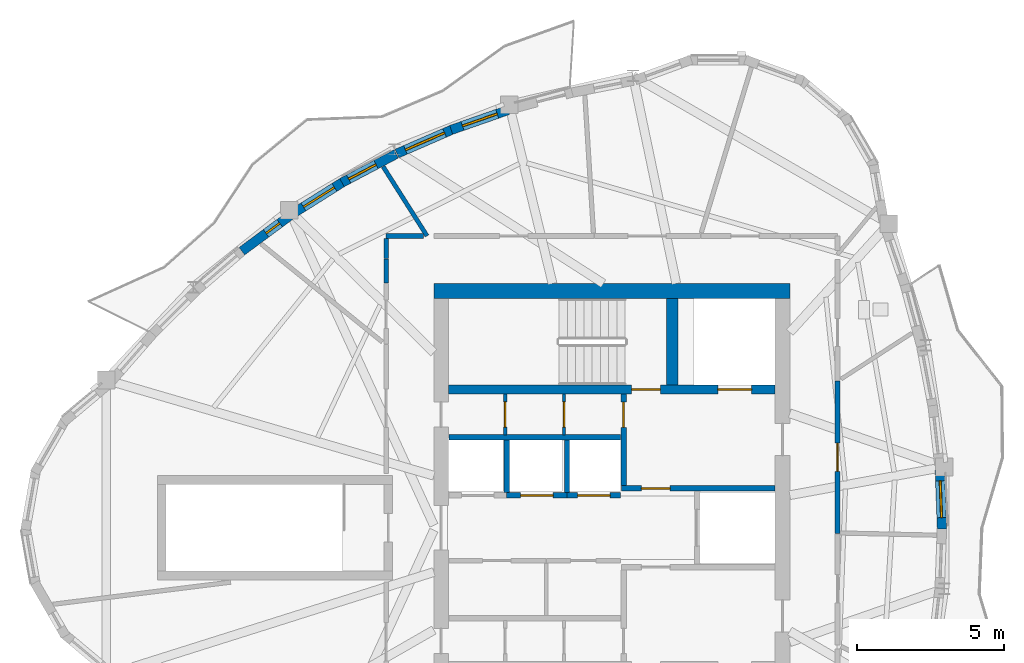
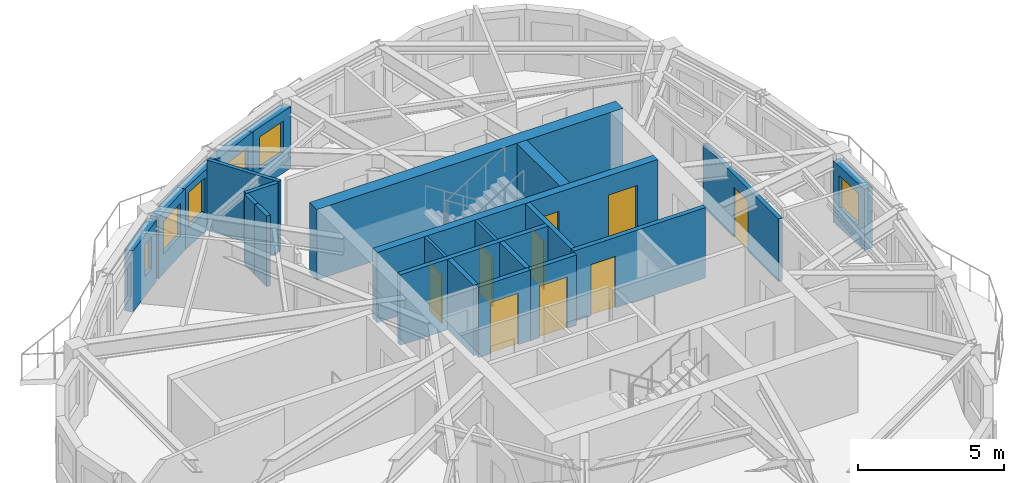
# One storey, part 6 of 12: 23 walls, 9 doors, 6 windows, 15 openings.
"""IFC4 building model written with IfcOpenShell, lengths in metres."""

from ifc_helpers import new_model, si_unit, direction, frame, frame_2d, origin, place, context, subcontext, project, spatial, rectangle, extrude, source, transform, mapped, material, layer, layer_set, type_object, element, fill, save


model = new_model("IFC4")

# Units and contexts
model_context = context("Model", 3, precision=1e-05, world=origin(), true_north=direction((0.0, 1.0)))
body_context = subcontext(model_context, "Body", "Model", "MODEL_VIEW")
ifc_project = project(units=[si_unit("LENGTHUNIT", "METRE"), si_unit("AREAUNIT", "SQUARE_METRE"), si_unit("VOLUMEUNIT", "CUBIC_METRE"), si_unit("PLANEANGLEUNIT", "RADIAN"), si_unit("MASSUNIT", "GRAM", prefix="KILO")], contexts=[model_context])

# Site, building, storey
site_placement = place(None, origin())
site = spatial("IfcSite", under=ifc_project, at=site_placement, CompositionType="ELEMENT")
building_placement = place(site_placement, origin())
building = spatial("IfcBuilding", under=site, at=building_placement, Name="Qafzar Sky-Pleat Residences", CompositionType="ELEMENT")
storey_placement = place(building_placement, frame((0.0, 0.0, 250.0)))
storey = spatial("IfcBuildingStorey", under=building, at=storey_placement, Name="L75", CompositionType="ELEMENT", Elevation=250.0)

# Wall, opening, door
ifc_material_1 = material(Name="Acoustic gypsum plasterboard partition", Category="gypsum")
ifc_layer_1 = layer(ifc_material_1, 0.159912109375)
ifc_layer_set_1 = layer_set([ifc_layer_1], Name="Acoustic gypsum plasterboard partition")
wall_type_1 = type_object("IfcWallType", Name="PART-COR-160", PredefinedType="PARTITIONING", material=ifc_layer_set_1)
wall_1_placement = place(storey_placement, frame((38.02001953125, 30.991943359375, 0.0), z_axis=(0.0, 0.0, 1.0), x_axis=(0.0, -1.0, 0.0)))
wall_1 = element("IfcWall", 1, at=wall_1_placement, inside=storey, type_object=wall_type_1, Name="L75 Partition Wall PART-L75-PW-002", PredefinedType="PARTITIONING", context=body_context, shape_type="SweptSolid", body=[
    extrude(rectangle(XDim=5.182861328125, YDim=0.159912109375, at=frame_2d((2.59130859375, 0.0))), origin(), (0.0, 0.0, 1.0), 2.617919921875),
])
opening_1_placement = place(wall_1_placement, frame((2.113037109375, 0.0, 0.0)))
opening_1 = element("IfcOpeningElement", 2, at=opening_1_placement, cuts=wall_1, Name="Opening ID-06", PredefinedType="OPENING", context=body_context, shape_type="SweptSolid", body=[
    extrude(rectangle(XDim=0.9599609375, YDim=2.10009765625, at=frame_2d((0.47998046875, 1.050048828125))), frame((0.0, 0.08984375, 0.0), z_axis=(0.0, -1.0, 0.0), x_axis=(1.0, 0.0, 0.0)), (0.0, 0.0, 1.0), 0.179931640625),
])
ifc_material_2 = material(Name="Timber-faced fire door", Category="wood")
door_type_1 = type_object("IfcDoorType", Name="DR-STD-960", OperationType="NOTDEFINED", PredefinedType="DOOR", material=ifc_material_2)
shared_shape_1 = source(origin(), body_context, "Body", "SweptSolid", [
    extrude(rectangle(XDim=0.9599609375, YDim=2.10009765625, at=frame_2d((0.47998046875, 1.050048828125))), frame((0.0, 0.02490234375, 0.0), z_axis=(0.0, -1.0, 0.0), x_axis=(1.0, 0.0, 0.0)), (0.0, 0.0, 1.0), 0.050048828125),
])
door_1_placement = place(opening_1_placement, origin())
door_1 = element("IfcDoor", 3, at=door_1_placement, inside=storey, type_object=door_type_1, Name="L75 Reading Library Door", OperationType="SINGLE_SWING_LEFT", OverallHeight=2.10009765625, OverallWidth=0.9599609375, PredefinedType="DOOR", context=body_context, shape_type="MappedRepresentation", body=[
    mapped(shared_shape_1, transform((0.0, 0.0, 0.0), x_axis=(1.0, 0.0, 0.0), y_axis=(0.0, 1.0, 0.0), z_axis=(0.0, 0.0, 1.0), scale=1.0)),
])
fill(opening_1, door_1)

# Walls
wall_2_placement = place(storey_placement, frame((22.679931640625, 35.919921875, 0.0), z_axis=(0.0, 0.0, 1.0), x_axis=(1.0, 0.0, 0.0)))
element("IfcWall", 4, at=wall_2_placement, inside=storey, type_object=wall_type_1, Name="L75 Partition Wall PART-L75-PW-024", PredefinedType="PARTITIONING", context=body_context, shape_type="SweptSolid", body=[
    extrude(rectangle(XDim=1.261474609375, YDim=0.159912109375, at=frame_2d((0.630859375, 0.0))), origin(), (0.0, 0.0, 1.0), 2.949951171875),
])
wall_3_placement = place(storey_placement, frame((22.679931640625, 34.31494140625, 0.0), z_axis=(0.0, 0.0, 1.0), x_axis=(0.0, 1.0, 0.0)))
element("IfcWall", 5, at=wall_3_placement, inside=storey, type_object=wall_type_1, Name="L75 Partition Wall PART-L75-PW-028", PredefinedType="PARTITIONING", context=body_context, shape_type="SweptSolid", body=[
    extrude(rectangle(XDim=0.816162109375, YDim=0.159912109375, at=frame_2d((0.408203125, 0.0))), origin(), (0.0, 0.0, 1.0), 2.949951171875),
])
wall_4_placement = place(storey_placement, frame((22.679931640625, 35.14599609375, 0.0), z_axis=(0.0, 0.0, 1.0), x_axis=(0.0, 1.0, 0.0)))
element("IfcWall", 6, at=wall_4_placement, inside=storey, type_object=wall_type_1, Name="L75 Partition Wall PART-L75-PW-030", PredefinedType="PARTITIONING", context=body_context, shape_type="SweptSolid", body=[
    extrude(rectangle(XDim=0.68603515625, YDim=0.159912109375, at=frame_2d((0.343017578125, 0.0))), origin(), (0.0, 0.0, 1.0), 2.949951171875),
])

# Wall, opening, door
ifc_material_3 = material(Name="Concrete blockwork partition", Category="masonry")
ifc_layer_2 = layer(ifc_material_3, 0.179931640625)
ifc_layer_set_2 = layer_set([ifc_layer_2], Name="Concrete blockwork partition")
wall_type_2 = type_object("IfcWallType", Name="PART-SHAFT-180", PredefinedType="PARTITIONING", material=ifc_layer_set_2)
wall_5_placement = place(storey_placement, frame((30.75, 27.429931640625, 0.0), z_axis=(0.0, 0.0, 1.0), x_axis=(0.0, 1.0, 0.0)))
wall_5 = element("IfcWall", 7, at=wall_5_placement, inside=storey, type_object=wall_type_2, Name="L75 Partition Wall PART-L75-FFL2-W", PredefinedType="PARTITIONING", context=body_context, shape_type="SweptSolid", body=[
    extrude(rectangle(XDim=3.110107421875, YDim=0.179931640625, at=frame_2d((1.55517578125, 0.0))), origin(), (0.0, 0.0, 1.0), 2.949951171875),
])
opening_2_placement = place(wall_5_placement, frame((1.97998046875, 0.0, 0.0)))
opening_2 = element("IfcOpeningElement", 8, at=opening_2_placement, cuts=wall_5, Name="Opening ID-09", PredefinedType="OPENING", context=body_context, shape_type="SweptSolid", body=[
    extrude(rectangle(XDim=0.860107421875, YDim=2.050048828125, at=frame_2d((0.43017578125, 1.02490234375))), frame((0.0, 0.10009765625, 0.0), z_axis=(0.0, -1.0, 0.0), x_axis=(1.0, 0.0, 0.0)), (0.0, 0.0, 1.0), 0.199951171875),
])
door_type_2 = type_object("IfcDoorType", Name="DR-SVC-860", OperationType="NOTDEFINED", PredefinedType="DOOR", material=ifc_material_2)
shared_shape_2 = source(origin(), body_context, "Body", "SweptSolid", [
    extrude(rectangle(XDim=0.860107421875, YDim=2.050048828125, at=frame_2d((0.43017578125, 1.02490234375))), frame((0.0, 0.02490234375, 0.0), z_axis=(0.0, -1.0, 0.0), x_axis=(1.0, 0.0, 0.0)), (0.0, 0.0, 1.0), 0.050048828125),
])
door_2_placement = place(opening_2_placement, origin())
door_2 = element("IfcDoor", 9, at=door_2_placement, inside=storey, type_object=door_type_2, Name="L75 North Core Cupboard Door", OperationType="SINGLE_SWING_RIGHT", OverallHeight=2.050048828125, OverallWidth=0.860107421875, PredefinedType="DOOR", context=body_context, shape_type="MappedRepresentation", body=[
    mapped(shared_shape_2, transform((0.0, 0.0, 0.0), x_axis=(1.0, 0.0, 0.0), y_axis=(0.0, 1.0, 0.0), z_axis=(0.0, 0.0, 1.0), scale=1.0)),
])
fill(opening_2, door_2)

wall_6_placement = place(storey_placement, frame((30.669921875, 27.340087890625, 0.0), z_axis=(0.0, 0.0, 1.0), x_axis=(1.0, 0.0, 0.0)))
wall_6 = element("IfcWall", 10, at=wall_6_placement, inside=storey, type_object=wall_type_2, Name="L75 Partition Wall PART-L75-FFL2-S", PredefinedType="PARTITIONING", context=body_context, shape_type="SweptSolid", body=[
    extrude(rectangle(XDim=5.219970703125, YDim=0.179931640625, at=frame_2d((2.60986328125, 0.0))), origin(), (0.0, 0.0, 1.0), 2.949951171875),
])
opening_3_placement = place(wall_6_placement, frame((0.679931640625, 0.0, 0.0)))
opening_3 = element("IfcOpeningElement", 11, at=opening_3_placement, cuts=wall_6, Name="Opening ID-01", PredefinedType="OPENING", context=body_context, shape_type="SweptSolid", body=[
    extrude(rectangle(XDim=0.97998046875, YDim=2.14990234375, at=frame_2d((0.489990234375, 1.074951171875))), frame((0.0, 0.10009765625, 0.0), z_axis=(0.0, -1.0, 0.0), x_axis=(1.0, 0.0, 0.0)), (0.0, 0.0, 1.0), 0.199951171875),
])
door_type_3 = type_object("IfcDoorType", Name="DR-STAIR-980", OperationType="NOTDEFINED", PredefinedType="DOOR", material=ifc_material_2)
shared_shape_3 = source(origin(), body_context, "Body", "SweptSolid", [
    extrude(rectangle(XDim=0.97998046875, YDim=2.14990234375, at=frame_2d((0.489990234375, 1.074951171875))), frame((0.0, 0.02490234375, 0.0), z_axis=(0.0, -1.0, 0.0), x_axis=(1.0, 0.0, 0.0)), (0.0, 0.0, 1.0), 0.050048828125),
])
door_3_placement = place(opening_3_placement, origin())
door_3 = element("IfcDoor", 12, at=door_3_placement, inside=storey, type_object=door_type_3, Name="L75 Lift Lobby to North Firefighting Lobby Door", OperationType="SINGLE_SWING_LEFT", OverallHeight=2.14990234375, OverallWidth=0.97998046875, PredefinedType="DOOR", context=body_context, shape_type="MappedRepresentation", body=[
    mapped(shared_shape_3, transform((0.0, 0.0, 0.0), x_axis=(1.0, 0.0, 0.0), y_axis=(0.0, 1.0, 0.0), z_axis=(0.0, 0.0, 1.0), scale=1.0)),
])
fill(opening_3, door_3)

# Wall
wall_7_placement = place(storey_placement, frame((24.81005859375, 29.080078125, 0.0), z_axis=(0.0, 0.0, 1.0), x_axis=(1.0, 0.0, 0.0)))
element("IfcWall", 13, at=wall_7_placement, inside=storey, type_object=wall_type_2, Name="L75 Partition Wall PART-L75-P46-N", PredefinedType="PARTITIONING", context=body_context, shape_type="SweptSolid", body=[
    extrude(rectangle(XDim=5.83984375, YDim=0.179931640625, at=frame_2d((2.919921875, 0.0))), origin(), (0.0, 0.0, 1.0), 2.949951171875),
])

# Wall, opening, door
wall_8_placement = place(storey_placement, frame((26.77490234375, 27.10009765625, 0.0), z_axis=(0.0, 0.0, 1.0), x_axis=(1.0, 0.0, 0.0)))
wall_8 = element("IfcWall", 14, at=wall_8_placement, inside=storey, type_object=wall_type_2, Name="L75 Partition Wall PART-L75-P5-S", PredefinedType="PARTITIONING", context=body_context, shape_type="SweptSolid", body=[
    extrude(rectangle(XDim=2.050048828125, YDim=0.179931640625, at=frame_2d((1.02490234375, 0.0))), origin(), (0.0, 0.0, 1.0), 2.949951171875),
])
opening_4_placement = place(wall_8_placement, frame((0.47509765625, 0.0, 0.0)))
opening_4 = element("IfcOpeningElement", 15, at=opening_4_placement, cuts=wall_8, Name="Opening LD-01", PredefinedType="OPENING", context=body_context, shape_type="SweptSolid", body=[
    extrude(rectangle(XDim=1.10009765625, YDim=2.14990234375, at=frame_2d((0.550048828125, 1.074951171875))), frame((0.0, 0.10009765625, 0.0), z_axis=(0.0, -1.0, 0.0), x_axis=(1.0, 0.0, 0.0)), (0.0, 0.0, 1.0), 0.199951171875),
])
ifc_material_4 = material(Name="Stainless steel sliding landing door", Category="steel")
door_type_4 = type_object("IfcDoorType", Name="DR-LIFT-P", OperationType="DOUBLE_DOOR_SLIDING", PredefinedType="DOOR", material=ifc_material_4)
shared_shape_4 = source(origin(), body_context, "Body", "SweptSolid", [
    extrude(rectangle(XDim=1.10009765625, YDim=2.14990234375, at=frame_2d((0.550048828125, 1.074951171875))), frame((0.0, 0.02490234375, 0.0), z_axis=(0.0, -1.0, 0.0), x_axis=(1.0, 0.0, 0.0)), (0.0, 0.0, 1.0), 0.050048828125),
])
door_4_placement = place(opening_4_placement, origin())
door_4 = element("IfcDoor", 16, at=door_4_placement, inside=storey, type_object=door_type_4, Name="L75 Passenger Lift P5 Landing Door", OperationType="DOUBLE_DOOR_SLIDING", OverallHeight=2.14990234375, OverallWidth=1.10009765625, PredefinedType="DOOR", context=body_context, shape_type="MappedRepresentation", body=[
    mapped(shared_shape_4, transform((0.0, 0.0, 0.0), x_axis=(1.0, 0.0, 0.0), y_axis=(0.0, 1.0, 0.0), z_axis=(0.0, 0.0, 1.0), scale=1.0)),
])
fill(opening_4, door_4)

# Wall
wall_9_placement = place(storey_placement, frame((26.77490234375, 27.199951171875, 0.0), z_axis=(0.0, 0.0, 1.0), x_axis=(0.0, 1.0, 0.0)))
element("IfcWall", 17, at=wall_9_placement, inside=storey, type_object=wall_type_2, Name="L75 Partition Wall PART-L75-P46-DIV-1", PredefinedType="PARTITIONING", context=body_context, shape_type="SweptSolid", body=[
    extrude(rectangle(XDim=1.780029296875, YDim=0.179931640625, at=frame_2d((0.89013671875, 0.0))), origin(), (0.0, 0.0, 1.0), 2.949951171875),
])

# Wall, opening, door
wall_10_placement = place(storey_placement, frame((28.824951171875, 27.10009765625, 0.0), z_axis=(0.0, 0.0, 1.0), x_axis=(1.0, 0.0, 0.0)))
wall_10 = element("IfcWall", 18, at=wall_10_placement, inside=storey, type_object=wall_type_2, Name="L75 Partition Wall PART-L75-P6-S", PredefinedType="PARTITIONING", context=body_context, shape_type="SweptSolid", body=[
    extrude(rectangle(XDim=1.824951171875, YDim=0.179931640625, at=frame_2d((0.91259765625, 0.0))), origin(), (0.0, 0.0, 1.0), 2.949951171875),
])
opening_5_placement = place(wall_10_placement, frame((0.362548828125, 0.0, 0.0)))
opening_5 = element("IfcOpeningElement", 19, at=opening_5_placement, cuts=wall_10, Name="Opening LD-01", PredefinedType="OPENING", context=body_context, shape_type="SweptSolid", body=[
    extrude(rectangle(XDim=1.10009765625, YDim=2.14990234375, at=frame_2d((0.550048828125, 1.074951171875))), frame((0.0, 0.10009765625, 0.0), z_axis=(0.0, -1.0, 0.0), x_axis=(1.0, 0.0, 0.0)), (0.0, 0.0, 1.0), 0.199951171875),
])
door_5_placement = place(opening_5_placement, origin())
door_5 = element("IfcDoor", 20, at=door_5_placement, inside=storey, type_object=door_type_4, Name="L75 Passenger Lift P6 Landing Door", OperationType="DOUBLE_DOOR_SLIDING", OverallHeight=2.14990234375, OverallWidth=1.10009765625, PredefinedType="DOOR", context=body_context, shape_type="MappedRepresentation", body=[
    mapped(shared_shape_4, transform((0.0, 0.0, 0.0), x_axis=(1.0, 0.0, 0.0), y_axis=(0.0, 1.0, 0.0), z_axis=(0.0, 0.0, 1.0), scale=1.0)),
])
fill(opening_5, door_5)

# Wall
wall_11_placement = place(storey_placement, frame((28.824951171875, 27.199951171875, 0.0), z_axis=(0.0, 0.0, 1.0), x_axis=(0.0, 1.0, 0.0)))
element("IfcWall", 21, at=wall_11_placement, inside=storey, type_object=wall_type_2, Name="L75 Partition Wall PART-L75-P46-DIV-2", PredefinedType="PARTITIONING", context=body_context, shape_type="SweptSolid", body=[
    extrude(rectangle(XDim=1.780029296875, YDim=0.179931640625, at=frame_2d((0.89013671875, 0.0))), origin(), (0.0, 0.0, 1.0), 2.949951171875),
])

# Wall, opening, door
ifc_material_5 = material(Name="Gypsum plasterboard partition", Category="gypsum")
ifc_layer_3 = layer(ifc_material_5, 0.114990234375)
ifc_layer_set_3 = layer_set([ifc_layer_3], Name="Gypsum plasterboard partition")
wall_type_3 = type_object("IfcWallType", Name="PART-SVC-115", PredefinedType="PARTITIONING", material=ifc_layer_set_3)
wall_12_placement = place(storey_placement, frame((26.72509765625, 29.159912109375, 0.0), z_axis=(0.0, 0.0, 1.0), x_axis=(0.0, 1.0, 0.0)))
wall_12 = element("IfcWall", 22, at=wall_12_placement, inside=storey, type_object=wall_type_3, Name="L75 Partition Wall PART-L75-KC-NW-1", PredefinedType="PARTITIONING", context=body_context, shape_type="SweptSolid", body=[
    extrude(rectangle(XDim=1.380126953125, YDim=0.114990234375, at=frame_2d((0.68994140625, 0.0))), origin(), (0.0, 0.0, 1.0), 2.949951171875),
])
opening_6_placement = place(wall_12_placement, frame((0.260009765625, 0.0, 0.0)))
opening_6 = element("IfcOpeningElement", 23, at=opening_6_placement, cuts=wall_12, Name="Opening ID-09", PredefinedType="OPENING", context=body_context, shape_type="SweptSolid", body=[
    extrude(rectangle(XDim=0.860107421875, YDim=2.050048828125, at=frame_2d((0.43017578125, 1.02490234375))), frame((0.0, 0.0673828125, 0.0), z_axis=(0.0, -1.0, 0.0), x_axis=(1.0, 0.0, 0.0)), (0.0, 0.0, 1.0), 0.135009765625),
])
door_6_placement = place(opening_6_placement, origin())
door_6 = element("IfcDoor", 24, at=door_6_placement, inside=storey, type_object=door_type_2, Name="L75 Core North Cupboard 1 Door", OperationType="SINGLE_SWING_LEFT", OverallHeight=2.050048828125, OverallWidth=0.860107421875, PredefinedType="DOOR", context=body_context, shape_type="MappedRepresentation", body=[
    mapped(shared_shape_2, transform((0.0, 0.0, 0.0), x_axis=(1.0, 0.0, 0.0), y_axis=(0.0, 1.0, 0.0), z_axis=(0.0, 0.0, 1.0), scale=1.0)),
])
fill(opening_6, door_6)

wall_13_placement = place(storey_placement, frame((28.72509765625, 29.159912109375, 0.0), z_axis=(0.0, 0.0, 1.0), x_axis=(0.0, 1.0, 0.0)))
wall_13 = element("IfcWall", 25, at=wall_13_placement, inside=storey, type_object=wall_type_3, Name="L75 Partition Wall PART-L75-KC-NW-2", PredefinedType="PARTITIONING", context=body_context, shape_type="SweptSolid", body=[
    extrude(rectangle(XDim=1.380126953125, YDim=0.114990234375, at=frame_2d((0.68994140625, 0.0))), origin(), (0.0, 0.0, 1.0), 2.949951171875),
])
opening_7_placement = place(wall_13_placement, frame((0.260009765625, 0.0, 0.0)))
opening_7 = element("IfcOpeningElement", 26, at=opening_7_placement, cuts=wall_13, Name="Opening ID-09", PredefinedType="OPENING", context=body_context, shape_type="SweptSolid", body=[
    extrude(rectangle(XDim=0.860107421875, YDim=2.050048828125, at=frame_2d((0.43017578125, 1.02490234375))), frame((0.0, 0.0673828125, 0.0), z_axis=(0.0, -1.0, 0.0), x_axis=(1.0, 0.0, 0.0)), (0.0, 0.0, 1.0), 0.135009765625),
])
door_7_placement = place(opening_7_placement, origin())
door_7 = element("IfcDoor", 27, at=door_7_placement, inside=storey, type_object=door_type_2, Name="L75 Core North Cupboard 2 Door", OperationType="SINGLE_SWING_LEFT", OverallHeight=2.050048828125, OverallWidth=0.860107421875, PredefinedType="DOOR", context=body_context, shape_type="MappedRepresentation", body=[
    mapped(shared_shape_2, transform((0.0, 0.0, 0.0), x_axis=(1.0, 0.0, 0.0), y_axis=(0.0, 1.0, 0.0), z_axis=(0.0, 0.0, 1.0), scale=1.0)),
])
fill(opening_7, door_7)

# Wall
ifc_layer_4 = layer(ifc_material_1, 0.14501953125)
ifc_layer_set_4 = layer_set([ifc_layer_4], Name="Acoustic gypsum plasterboard partition")
wall_type_4 = type_object("IfcWallType", Name="PART-UNIT-145", PredefinedType="PARTITIONING", material=ifc_layer_set_4)
wall_14_placement = place(storey_placement, frame((22.576416015625, 38.275390625, 0.0), z_axis=(0.0, 0.0, 1.0), x_axis=(0.535027081988, -0.84483490786, 0.0)))
element("IfcWall", 28, at=wall_14_placement, inside=storey, type_object=wall_type_4, Name="L75 Partition Wall PART-L75-PW-021", PredefinedType="PARTITIONING", context=body_context, shape_type="SweptSolid", body=[
    extrude(rectangle(XDim=2.7880859375, YDim=0.14501953125, at=frame_2d((1.39404296875, 0.0))), origin(), (0.0, 0.0, 1.0), 2.949951171875),
])

# Wall, opening, window
ifc_material_6 = material(Name="Precast concrete C40/50 with honed Riyadh limestone", Category="concrete")
ifc_layer_5 = layer(ifc_material_6, 0.320068359375)
ifc_layer_set_5 = layer_set([ifc_layer_5], Name="Precast concrete C40/50 with honed Riyadh limestone")
wall_type_5 = type_object("IfcWallType", Name="WALL-EXT-320", PredefinedType="SOLIDWALL", material=ifc_layer_set_5)
wall_15_placement = place(storey_placement, frame((41.572998046875, 25.9560546875, 0.0), z_axis=(0.0, 0.0, 1.0), x_axis=(-0.038014663796, 0.999277181435, 0.0)))
wall_15 = element("IfcWall", 29, at=wall_15_placement, inside=storey, type_object=wall_type_5, Name="L75 Limestone Facade Wall 28", PredefinedType="SOLIDWALL", context=body_context, shape_type="SweptSolid", body=[
    extrude(rectangle(XDim=2.0166015625, YDim=0.320068359375, at=frame_2d((1.00830078125, 0.0))), origin(), (0.0, 0.0, 1.0), 2.570068359375),
])
opening_8_placement = place(wall_15_placement, frame((0.38818359375, 0.0, 0.820068359375)))
opening_8 = element("IfcOpeningElement", 30, at=opening_8_placement, cuts=wall_15, Name="Opening WN-11", PredefinedType="OPENING", context=body_context, shape_type="SweptSolid", body=[
    extrude(rectangle(XDim=1.25, YDim=1.35009765625, at=frame_2d((0.625, 0.675048828125))), frame((0.0, 0.169921875, 0.0), z_axis=(0.0, -1.0, 0.0), x_axis=(1.0, 0.0, 0.0)), (0.0, 0.0, 1.0), 0.340087890625),
])
ifc_material_7 = material(Name="Solar-control low-E glass in bronze aluminium frame", Category="glass")
window_type_1 = type_object("IfcWindowType", Name="WIN-11", PartitioningType="SINGLE_PANEL", PredefinedType="WINDOW", material=ifc_material_7)
shared_shape_5 = source(origin(), body_context, "Body", "SweptSolid", [
    extrude(rectangle(XDim=1.25, YDim=1.35009765625, at=frame_2d((0.625, 0.675048828125))), frame((0.0, 0.030029296875, 0.0), z_axis=(0.0, -1.0, 0.0), x_axis=(1.0, 0.0, 0.0)), (0.0, 0.0, 1.0), 0.06005859375),
])
window_1_placement = place(opening_8_placement, origin())
window_1 = element("IfcWindow", 31, at=window_1_placement, inside=storey, type_object=window_type_1, Name="L75 Punched Facade Window 28", OverallHeight=1.35009765625, OverallWidth=1.25, PartitioningType="SINGLE_PANEL", PredefinedType="WINDOW", context=body_context, shape_type="MappedRepresentation", body=[
    mapped(shared_shape_5, transform((0.0, 0.0, 0.0), x_axis=(1.0, 0.0, 0.0), y_axis=(0.0, 1.0, 0.0), z_axis=(0.0, 0.0, 1.0), scale=1.0)),
])
fill(opening_8, window_1)

wall_16_placement = place(storey_placement, frame((26.826416015625, 40.199462890625, 0.0), z_axis=(0.0, 0.0, 1.0), x_axis=(-0.944152853185, -0.329507799335, 0.0)))
wall_16 = element("IfcWall", 32, at=wall_16_placement, inside=storey, type_object=wall_type_5, Name="L75 Limestone Facade Wall 41", PredefinedType="SOLIDWALL", context=body_context, shape_type="SweptSolid", body=[
    extrude(rectangle(XDim=2.05224609375, YDim=0.320068359375, at=frame_2d((1.026123046875, 0.0))), origin(), (0.0, 0.0, 1.0), 2.570068359375),
])
opening_9_placement = place(wall_16_placement, frame((0.39599609375, 0.0, 0.820068359375)))
opening_9 = element("IfcOpeningElement", 33, at=opening_9_placement, cuts=wall_16, Name="Opening WN-11", PredefinedType="OPENING", context=body_context, shape_type="SweptSolid", body=[
    extrude(rectangle(XDim=1.25, YDim=1.35009765625, at=frame_2d((0.625, 0.675048828125))), frame((0.0, 0.169921875, 0.0), z_axis=(0.0, -1.0, 0.0), x_axis=(1.0, 0.0, 0.0)), (0.0, 0.0, 1.0), 0.340087890625),
])
window_2_placement = place(opening_9_placement, origin())
window_2 = element("IfcWindow", 34, at=window_2_placement, inside=storey, type_object=window_type_1, Name="L75 Punched Facade Window 41", OverallHeight=1.35009765625, OverallWidth=1.25, PartitioningType="SINGLE_PANEL", PredefinedType="WINDOW", context=body_context, shape_type="MappedRepresentation", body=[
    mapped(shared_shape_5, transform((0.0, 0.0, 0.0), x_axis=(1.0, 0.0, 0.0), y_axis=(0.0, 1.0, 0.0), z_axis=(0.0, 0.0, 1.0), scale=1.0)),
])
fill(opening_9, window_2)

wall_17_placement = place(storey_placement, frame((24.970458984375, 39.55517578125, 0.0), z_axis=(0.0, 0.0, 1.0), x_axis=(-0.917086701486, -0.398687825193, 0.0)))
wall_17 = element("IfcWall", 35, at=wall_17_placement, inside=storey, type_object=wall_type_5, Name="L75 Limestone Facade Wall 42", PredefinedType="SOLIDWALL", context=body_context, shape_type="SweptSolid", body=[
    extrude(rectangle(XDim=2.0986328125, YDim=0.320068359375, at=frame_2d((1.04931640625, 0.0))), origin(), (0.0, 0.0, 1.0), 2.570068359375),
])
opening_10_placement = place(wall_17_placement, frame((0.334228515625, 0.0, 0.820068359375)))
opening_10 = element("IfcOpeningElement", 36, at=opening_10_placement, cuts=wall_17, Name="Opening WN-15", PredefinedType="OPENING", context=body_context, shape_type="SweptSolid", body=[
    extrude(rectangle(XDim=1.449951171875, YDim=1.25, at=frame_2d((0.72509765625, 0.625))), frame((0.0, 0.169921875, 0.0), z_axis=(0.0, -1.0, 0.0), x_axis=(1.0, 0.0, 0.0)), (0.0, 0.0, 1.0), 0.340087890625),
])
window_type_2 = type_object("IfcWindowType", Name="WIN-15", PartitioningType="SINGLE_PANEL", PredefinedType="WINDOW", material=ifc_material_7)
shared_shape_6 = source(origin(), body_context, "Body", "SweptSolid", [
    extrude(rectangle(XDim=1.449951171875, YDim=1.25, at=frame_2d((0.72509765625, 0.625))), frame((0.0, 0.030029296875, 0.0), z_axis=(0.0, -1.0, 0.0), x_axis=(1.0, 0.0, 0.0)), (0.0, 0.0, 1.0), 0.06005859375),
])
window_3_placement = place(opening_10_placement, origin())
window_3 = element("IfcWindow", 37, at=window_3_placement, inside=storey, type_object=window_type_2, Name="L75 Punched Facade Window 42", OverallHeight=1.25, OverallWidth=1.449951171875, PartitioningType="SINGLE_PANEL", PredefinedType="WINDOW", context=body_context, shape_type="MappedRepresentation", body=[
    mapped(shared_shape_6, transform((0.0, 0.0, 0.0), x_axis=(1.0, 0.0, 0.0), y_axis=(0.0, 1.0, 0.0), z_axis=(0.0, 0.0, 1.0), scale=1.0)),
])
fill(opening_10, window_3)

wall_18_placement = place(storey_placement, frame((23.02099609375, 38.70654296875, 0.0), z_axis=(0.0, 0.0, 1.0), x_axis=(-0.884384752847, -0.466758619558, 0.0)))
wall_18 = element("IfcWall", 38, at=wall_18_placement, inside=storey, type_object=wall_type_5, Name="L75 Limestone Facade Wall 43", PredefinedType="SOLIDWALL", context=body_context, shape_type="SweptSolid", body=[
    extrude(rectangle(XDim=2.0869140625, YDim=0.320068359375, at=frame_2d((1.04345703125, 0.0))), origin(), (0.0, 0.0, 1.0), 2.570068359375),
])
opening_11_placement = place(wall_18_placement, frame((0.776611328125, 0.0, 0.820068359375)))
opening_11 = element("IfcOpeningElement", 39, at=opening_11_placement, cuts=wall_18, Name="Opening WN-06", PredefinedType="OPENING", context=body_context, shape_type="SweptSolid", body=[
    extrude(rectangle(XDim=1.050048828125, YDim=1.449951171875, at=frame_2d((0.52490234375, 0.72509765625))), frame((0.0, 0.169921875, 0.0), z_axis=(0.0, -1.0, 0.0), x_axis=(1.0, 0.0, 0.0)), (0.0, 0.0, 1.0), 0.340087890625),
])
window_type_3 = type_object("IfcWindowType", Name="WIN-06", PartitioningType="SINGLE_PANEL", PredefinedType="WINDOW", material=ifc_material_7)
shared_shape_7 = source(origin(), body_context, "Body", "SweptSolid", [
    extrude(rectangle(XDim=1.050048828125, YDim=1.449951171875, at=frame_2d((0.52490234375, 0.72509765625))), frame((0.0, 0.030029296875, 0.0), z_axis=(0.0, -1.0, 0.0), x_axis=(1.0, 0.0, 0.0)), (0.0, 0.0, 1.0), 0.06005859375),
])
window_4_placement = place(opening_11_placement, origin())
window_4 = element("IfcWindow", 40, at=window_4_placement, inside=storey, type_object=window_type_3, Name="L75 Punched Facade Window 43-2", OverallHeight=1.449951171875, OverallWidth=1.050048828125, PartitioningType="SINGLE_PANEL", PredefinedType="WINDOW", context=body_context, shape_type="MappedRepresentation", body=[
    mapped(shared_shape_7, transform((0.0, 0.0, 0.0), x_axis=(1.0, 0.0, 0.0), y_axis=(0.0, 1.0, 0.0), z_axis=(0.0, 0.0, 1.0), scale=1.0)),
])
fill(opening_11, window_4)

wall_19_placement = place(storey_placement, frame((21.251708984375, 37.776611328125, 0.0), z_axis=(0.0, 0.0, 1.0), x_axis=(-0.846382416581, -0.532575633034, 0.0)))
wall_19 = element("IfcWall", 41, at=wall_19_placement, inside=storey, type_object=wall_type_5, Name="L75 Limestone Facade Wall 44", PredefinedType="SOLIDWALL", context=body_context, shape_type="SweptSolid", body=[
    extrude(rectangle(XDim=2.0166015625, YDim=0.320068359375, at=frame_2d((1.00830078125, 0.0))), origin(), (0.0, 0.0, 1.0), 2.570068359375),
])
opening_12_placement = place(wall_19_placement, frame((0.38818359375, 0.0, 0.820068359375)))
opening_12 = element("IfcOpeningElement", 42, at=opening_12_placement, cuts=wall_19, Name="Opening WN-11", PredefinedType="OPENING", context=body_context, shape_type="SweptSolid", body=[
    extrude(rectangle(XDim=1.25, YDim=1.35009765625, at=frame_2d((0.625, 0.675048828125))), frame((0.0, 0.169921875, 0.0), z_axis=(0.0, -1.0, 0.0), x_axis=(1.0, 0.0, 0.0)), (0.0, 0.0, 1.0), 0.340087890625),
])
window_5_placement = place(opening_12_placement, origin())
window_5 = element("IfcWindow", 43, at=window_5_placement, inside=storey, type_object=window_type_1, Name="L75 Punched Facade Window 44", OverallHeight=1.35009765625, OverallWidth=1.25, PartitioningType="SINGLE_PANEL", PredefinedType="WINDOW", context=body_context, shape_type="MappedRepresentation", body=[
    mapped(shared_shape_5, transform((0.0, 0.0, 0.0), x_axis=(1.0, 0.0, 0.0), y_axis=(0.0, 1.0, 0.0), z_axis=(0.0, 0.0, 1.0), scale=1.0)),
])
fill(opening_12, window_5)

wall_20_placement = place(storey_placement, frame((19.40625, 36.60791015625, 0.0), z_axis=(0.0, 0.0, 1.0), x_axis=(-0.803853407146, -0.594827453821, 0.0)))
wall_20 = element("IfcWall", 44, at=wall_20_placement, inside=storey, type_object=wall_type_5, Name="L75 Limestone Facade Wall 45", PredefinedType="SOLIDWALL", context=body_context, shape_type="SweptSolid", body=[
    extrude(rectangle(XDim=2.02880859375, YDim=0.320068359375, at=frame_2d((1.014404296875, 0.0))), origin(), (0.0, 0.0, 1.0), 2.570068359375),
])
opening_13_placement = place(wall_20_placement, frame((0.42822265625, 0.0, 0.820068359375)))
opening_13 = element("IfcOpeningElement", 45, at=opening_13_placement, cuts=wall_20, Name="Opening WN-17", PredefinedType="OPENING", context=body_context, shape_type="SweptSolid", body=[
    extrude(rectangle(XDim=0.580078125, YDim=1.35009765625, at=frame_2d((0.2900390625, 0.675048828125))), frame((0.0, 0.169921875, 0.0), z_axis=(0.0, -1.0, 0.0), x_axis=(1.0, 0.0, 0.0)), (0.0, 0.0, 1.0), 0.340087890625),
])
window_type_4 = type_object("IfcWindowType", Name="WIN-17", PartitioningType="SINGLE_PANEL", PredefinedType="WINDOW", material=ifc_material_7)
shared_shape_8 = source(origin(), body_context, "Body", "SweptSolid", [
    extrude(rectangle(XDim=0.580078125, YDim=1.35009765625, at=frame_2d((0.2900390625, 0.675048828125))), frame((0.0, 0.030029296875, 0.0), z_axis=(0.0, -1.0, 0.0), x_axis=(1.0, 0.0, 0.0)), (0.0, 0.0, 1.0), 0.06005859375),
])
window_6_placement = place(opening_13_placement, origin())
window_6 = element("IfcWindow", 46, at=window_6_placement, inside=storey, type_object=window_type_4, Name="L75 Punched Facade Window 45", OverallHeight=1.35009765625, OverallWidth=0.580078125, PartitioningType="SINGLE_PANEL", PredefinedType="WINDOW", context=body_context, shape_type="MappedRepresentation", body=[
    mapped(shared_shape_8, transform((0.0, 0.0, 0.0), x_axis=(1.0, 0.0, 0.0), y_axis=(0.0, 1.0, 0.0), z_axis=(0.0, 0.0, 1.0), scale=1.0)),
])
fill(opening_13, window_6)

# Wall, openings, doors
ifc_material_8 = material(Name="Concrete C60/75", Category="concrete")
ifc_layer_6 = layer(ifc_material_8, 0.300048828125)
ifc_layer_set_6 = layer_set([ifc_layer_6], Name="Concrete C60/75")
wall_type_6 = type_object("IfcWallType", Name="WALL-SHEAR-300", PredefinedType="SHEAR", material=ifc_layer_set_6)
wall_21_placement = place(storey_placement, frame((24.800048828125, 30.699951171875, 0.0), z_axis=(0.0, 0.0, 1.0), x_axis=(1.0, 0.0, 0.0)))
wall_21 = element("IfcWall", 47, at=wall_21_placement, inside=storey, type_object=wall_type_6, Name="L75 Stair ST2 and FF2 Shaft South Wall", PredefinedType="SHEAR", context=body_context, shape_type="SweptSolid", body=[
    extrude(rectangle(XDim=11.099853515625, YDim=0.300048828125, at=frame_2d((5.5498046875, 0.0))), origin(), (0.0, 0.0, 1.0), 2.949951171875),
])
opening_14_placement = place(wall_21_placement, frame((6.219970703125, 0.0, 0.0)))
opening_14 = element("IfcOpeningElement", 48, at=opening_14_placement, cuts=wall_21, Name="Opening ID-01", PredefinedType="OPENING", context=body_context, shape_type="SweptSolid", body=[
    extrude(rectangle(XDim=0.97998046875, YDim=2.14990234375, at=frame_2d((0.489990234375, 1.074951171875))), frame((0.0, 0.16015625, 0.0), z_axis=(0.0, -1.0, 0.0), x_axis=(1.0, 0.0, 0.0)), (0.0, 0.0, 1.0), 0.320068359375),
])
opening_15_placement = place(wall_21_placement, frame((9.14990234375, 0.0, 0.0)))
opening_15 = element("IfcOpeningElement", 49, at=opening_15_placement, cuts=wall_21, Name="Opening LD-02", PredefinedType="OPENING", context=body_context, shape_type="SweptSolid", body=[
    extrude(rectangle(XDim=1.14990234375, YDim=2.14990234375, at=frame_2d((0.574951171875, 1.074951171875))), frame((0.0, 0.16015625, 0.0), z_axis=(0.0, -1.0, 0.0), x_axis=(1.0, 0.0, 0.0)), (0.0, 0.0, 1.0), 0.320068359375),
])
door_8_placement = place(opening_14_placement, origin())
door_8 = element("IfcDoor", 50, at=door_8_placement, inside=storey, type_object=door_type_3, Name="L75 Stair ST2 Fire Door", OperationType="SINGLE_SWING_RIGHT", OverallHeight=2.14990234375, OverallWidth=0.97998046875, PredefinedType="DOOR", context=body_context, shape_type="MappedRepresentation", body=[
    mapped(shared_shape_3, transform((0.0, 0.0, 0.0), x_axis=(1.0, 0.0, 0.0), y_axis=(0.0, 1.0, 0.0), z_axis=(0.0, 0.0, 1.0), scale=1.0)),
])
fill(opening_14, door_8)
door_type_5 = type_object("IfcDoorType", Name="DR-LIFT-FF", OperationType="DOUBLE_DOOR_SLIDING", PredefinedType="DOOR", material=ifc_material_4)
shared_shape_9 = source(origin(), body_context, "Body", "SweptSolid", [
    extrude(rectangle(XDim=1.14990234375, YDim=2.14990234375, at=frame_2d((0.574951171875, 1.074951171875))), frame((0.0, 0.02490234375, 0.0), z_axis=(0.0, -1.0, 0.0), x_axis=(1.0, 0.0, 0.0)), (0.0, 0.0, 1.0), 0.050048828125),
])
door_9_placement = place(opening_15_placement, origin())
door_9 = element("IfcDoor", 51, at=door_9_placement, inside=storey, type_object=door_type_5, Name="L75 Firefighting Lift FF2 Landing Door", OperationType="DOUBLE_DOOR_SLIDING", OverallHeight=2.14990234375, OverallWidth=1.14990234375, PredefinedType="DOOR", context=body_context, shape_type="MappedRepresentation", body=[
    mapped(shared_shape_9, transform((0.0, 0.0, 0.0), x_axis=(1.0, 0.0, 0.0), y_axis=(0.0, 1.0, 0.0), z_axis=(0.0, 0.0, 1.0), scale=1.0)),
])
fill(opening_15, door_9)

# Walls
ifc_layer_7 = layer(ifc_material_8, 0.39990234375)
ifc_layer_set_7 = layer_set([ifc_layer_7], Name="Concrete C60/75")
wall_type_7 = type_object("IfcWallType", Name="WALL-SHEAR-400", PredefinedType="SHEAR", material=ifc_layer_set_7)
wall_22_placement = place(storey_placement, frame((32.39990234375, 30.85009765625, 0.0), z_axis=(0.0, 0.0, 1.0), x_axis=(0.0, 1.0, 0.0)))
element("IfcWall", 52, at=wall_22_placement, inside=storey, type_object=wall_type_7, Name="L75 Stair ST2 East Dividing Wall", PredefinedType="SHEAR", context=body_context, shape_type="SweptSolid", body=[
    extrude(rectangle(XDim=2.949951171875, YDim=0.39990234375, at=frame_2d((1.47509765625, 0.0))), origin(), (0.0, 0.0, 1.0), 2.949951171875),
])
ifc_layer_8 = layer(ifc_material_8, 0.5)
ifc_layer_set_8 = layer_set([ifc_layer_8], Name="Concrete C60/75")
wall_type_8 = type_object("IfcWallType", Name="WALL-SHEAR-500", PredefinedType="SHEAR", material=ifc_layer_set_8)
wall_23_placement = place(storey_placement, frame((36.39990234375, 34.050048828125, 0.0), z_axis=(0.0, 0.0, 1.0), x_axis=(-1.0, 0.0, 0.0)))
element("IfcWall", 53, at=wall_23_placement, inside=storey, type_object=wall_type_8, Name="L75 CORE wall N", PredefinedType="SHEAR", context=body_context, shape_type="SweptSolid", body=[
    extrude(rectangle(XDim=12.099853515625, YDim=0.5, at=frame_2d((6.0498046875, 0.0))), origin(), (0.0, 0.0, 1.0), 2.949951171875),
])

save(model, "model.ifc")
